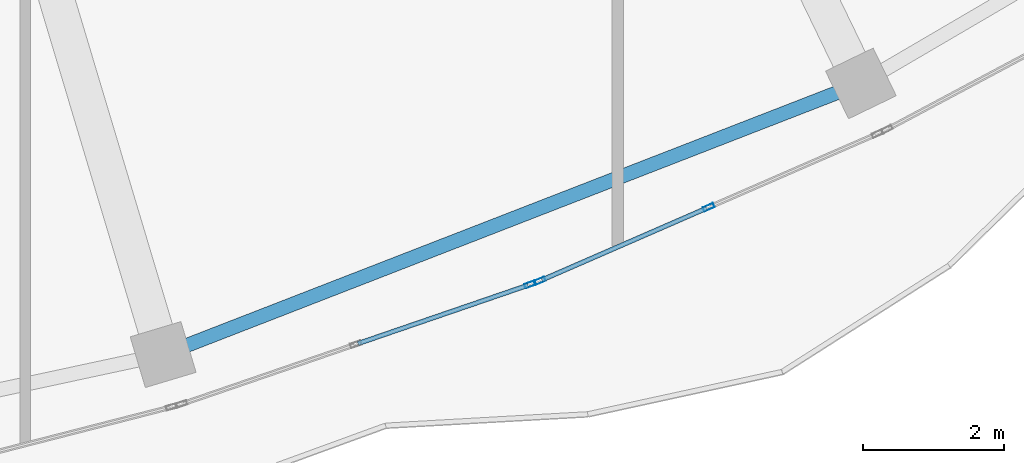
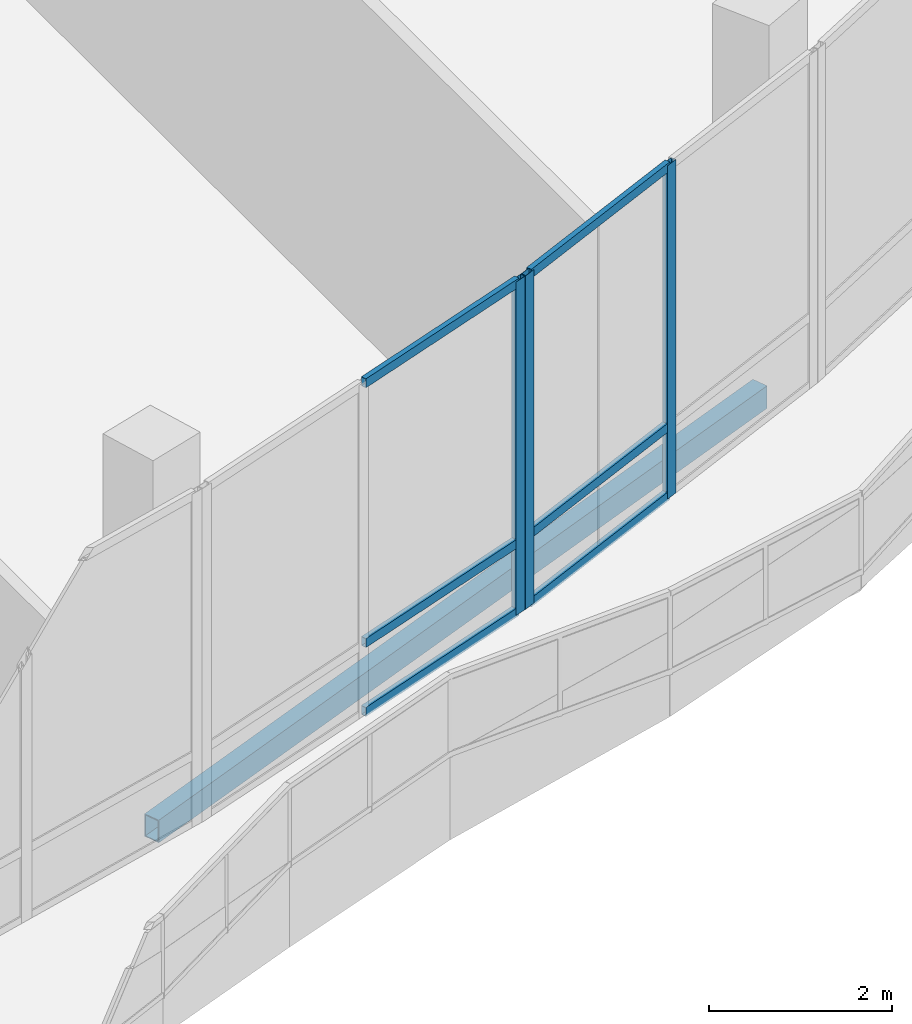
# One storey, part 46 of 168: 9 members, 1 beam, 2 elements without a shape of their own.
"""IFC4 building model written with IfcOpenShell, lengths in metres."""

from ifc_helpers import new_model, si_unit, direction, frame, origin, origin_2d, place, context, subcontext, project, spatial, hollow_rectangle, extrude, material, material_profile, profile_set, type_object, element, aggregate, save


model = new_model("IFC4")

# Units and contexts
model_context = context("Model", 3, precision=1e-05, world=origin(), true_north=direction((0.0, 1.0)))
body_context = subcontext(model_context, "Body", "Model", "MODEL_VIEW")
ifc_project = project(units=[si_unit("LENGTHUNIT", "METRE"), si_unit("AREAUNIT", "SQUARE_METRE"), si_unit("VOLUMEUNIT", "CUBIC_METRE"), si_unit("PLANEANGLEUNIT", "RADIAN"), si_unit("MASSUNIT", "GRAM", prefix="KILO")], contexts=[model_context])

# Site, building, storey
site_placement = place(None, origin())
site = spatial("IfcSite", under=ifc_project, at=site_placement, CompositionType="ELEMENT")
building_placement = place(site_placement, origin())
building = spatial("IfcBuilding", under=site, at=building_placement, Name="Selatvlak General Hospital", CompositionType="ELEMENT")
storey_placement = place(building_placement, frame((0.0, 0.0, 5.39990234375)))
storey = spatial("IfcBuildingStorey", under=building, at=storey_placement, Name="L01", CompositionType="ELEMENT", Elevation=5.39990234375)

# Beam
ifc_material_1 = material(Name="Steel S355", Category="steel")
ifc_material_profile_1 = material_profile(ifc_material_1, hollow_rectangle(XDim=0.199951171875, YDim=0.300048828125, WallThickness=0.011962890625, at=origin_2d()), Name="RHS 300x200x12")
ifc_profile_set_1 = profile_set([ifc_material_profile_1], Name="Steel S355")
beam_type = type_object("IfcBeamType", Name="BM-SP3", PredefinedType="SPANDREL", material=ifc_profile_set_1)
beam_placement = place(storey_placement, frame((75.155029296875, 15.556884765625, -0.469970703125), z_axis=(0.932089721368, 0.362227485596, 0.0), x_axis=(-0.362227485596, 0.932089721368, 0.0)))
element("IfcBeam", 1, at=beam_placement, inside=storey, type_object=beam_type, Name="Beam BMR-L01-0755", PredefinedType="SPANDREL", context=body_context, shape_type="SweptSolid", body=[
    extrude(hollow_rectangle(XDim=0.199951171875, YDim=0.300048828125, WallThickness=0.011962890625, at=origin_2d()), origin(), (0.0, 0.0, 1.0), 10.609375),
])

# Curtain wall, members
ifc_material_2 = material(Name="Solar-control Low-E double glazing", Category="glass")
curtain_wall_type_1 = type_object("IfcCurtainWallType", Name="CW-CW-02", PredefinedType="USERDEFINED", material=ifc_material_2)
curtain_wall_1_placement = place(storey_placement, origin())
curtain_wall_1 = element("IfcCurtainWall", 2, at=curtain_wall_1_placement, inside=storey, type_object=curtain_wall_type_1, Name="Glazed facade curtain wall CW-L01-0170", ObjectType="UNITISED CURTAIN WALL", PredefinedType="USERDEFINED")
ifc_material_3 = material(Name="Dark anodised aluminium mullion", Category="aluminium")
ifc_material_profile_2 = material_profile(ifc_material_3, hollow_rectangle(XDim=0.06494140625, YDim=0.159912109375, WallThickness=0.00390625, at=origin_2d()), Name="AL-MUL 65x160x4")
ifc_profile_set_2 = profile_set([ifc_material_profile_2], Name="Dark anodised aluminium mullion")
member_type_1 = type_object("IfcMemberType", Name="CWM-01", PredefinedType="MULLION", material=ifc_profile_set_2)
member_1_placement = place(storey_placement, frame((82.886962890625, 17.64404296875, 0.0), z_axis=(0.0, 0.0, 1.0), x_axis=(0.399389828763, -0.916781197822, 0.0)))
member_1 = element("IfcMember", 3, at=member_1_placement, type_object=member_type_1, Name="CW-02 mullion 2", PredefinedType="MULLION", context=body_context, shape_type="SweptSolid", body=[
    extrude(hollow_rectangle(XDim=0.06494140625, YDim=0.159912109375, WallThickness=0.00390625, at=origin_2d()), origin(), (0.0, 0.0, 1.0), 4.445068359375),
])
member_2_placement = place(storey_placement, frame((80.49267578125, 16.60107421875, 0.0), z_axis=(0.0, 0.0, 1.0), x_axis=(0.399389828763, -0.916781197822, 0.0)))
member_2 = element("IfcMember", 4, at=member_2_placement, type_object=member_type_1, Name="CW-02 mullion 3", PredefinedType="MULLION", context=body_context, shape_type="SweptSolid", body=[
    extrude(hollow_rectangle(XDim=0.06494140625, YDim=0.159912109375, WallThickness=0.00390625, at=origin_2d()), origin(), (0.0, 0.0, 1.0), 4.445068359375),
])

# Curtain wall, member
curtain_wall_type_2 = type_object("IfcCurtainWallType", Name="CW-CW-01", PredefinedType="USERDEFINED", material=ifc_material_2)
curtain_wall_2_placement = place(storey_placement, origin())
curtain_wall_2 = element("IfcCurtainWall", 5, at=curtain_wall_2_placement, inside=storey, type_object=curtain_wall_type_2, Name="Glazed facade curtain wall CW-L01-0171", ObjectType="UNITISED CURTAIN WALL", PredefinedType="USERDEFINED")
member_3_placement = place(storey_placement, frame((80.357177734375, 16.550537109375, 0.0), z_axis=(0.0, 0.0, 1.0), x_axis=(0.324609481996, -0.945848129563, 0.0)))
member_3 = element("IfcMember", 6, at=member_3_placement, type_object=member_type_1, Name="CW-01 mullion 1", PredefinedType="MULLION", context=body_context, shape_type="SweptSolid", body=[
    extrude(hollow_rectangle(XDim=0.06494140625, YDim=0.159912109375, WallThickness=0.00390625, at=origin_2d()), origin(), (0.0, 0.0, 1.0), 4.445068359375),
])

# Member
ifc_material_profile_3 = material_profile(ifc_material_3, hollow_rectangle(XDim=0.06494140625, YDim=0.1201171875, WallThickness=0.00390625, at=origin_2d()), Name="AL-TRN 65x120x4")
ifc_profile_set_3 = profile_set([ifc_material_profile_3], Name="Dark anodised aluminium mullion")
member_type_2 = type_object("IfcMemberType", Name="CWT-01", PredefinedType="USERDEFINED", material=ifc_profile_set_3)
member_4_placement = place(storey_placement, frame((82.857177734375, 17.631103515625, 0.03271484375), z_axis=(-0.916767989368, -0.399420146801, 0.0), x_axis=(0.399420146801, -0.916767989368, 0.0)))
member_4 = element("IfcMember", 7, at=member_4_placement, type_object=member_type_2, Name="CW-02 transom 2.1", ObjectType="TRANSOM", PredefinedType="USERDEFINED", context=body_context, shape_type="SweptSolid", body=[
    extrude(hollow_rectangle(XDim=0.06494140625, YDim=0.1201171875, WallThickness=0.00390625, at=origin_2d()), origin(), (0.0, 0.0, 1.0), 2.54638671875),
])

member_5_placement = place(storey_placement, frame((82.857177734375, 17.631103515625, 0.9501953125), z_axis=(-0.916767989368, -0.399420146801, 0.0), x_axis=(0.399420146801, -0.916767989368, 0.0)))
member_5 = element("IfcMember", 8, at=member_5_placement, type_object=member_type_2, Name="CW-02 transom 2.2", ObjectType="TRANSOM", PredefinedType="USERDEFINED", context=body_context, shape_type="SweptSolid", body=[
    extrude(hollow_rectangle(XDim=0.06494140625, YDim=0.1201171875, WallThickness=0.00390625, at=origin_2d()), origin(), (0.0, 0.0, 1.0), 2.54638671875),
])

member_6_placement = place(storey_placement, frame((82.857177734375, 17.631103515625, 4.41259765625), z_axis=(-0.916767989368, -0.399420146801, 0.0), x_axis=(0.399420146801, -0.916767989368, 0.0)))
member_6 = element("IfcMember", 9, at=member_6_placement, type_object=member_type_2, Name="CW-02 transom 2.3", ObjectType="TRANSOM", PredefinedType="USERDEFINED", context=body_context, shape_type="SweptSolid", body=[
    extrude(hollow_rectangle(XDim=0.06494140625, YDim=0.1201171875, WallThickness=0.00390625, at=origin_2d()), origin(), (0.0, 0.0, 1.0), 2.54638671875),
])

aggregate(curtain_wall_1, [member_1, member_2, member_4, member_5, member_6])

member_7_placement = place(storey_placement, frame((80.326416015625, 16.539794921875, 0.03271484375), z_axis=(-0.945866939821, -0.324554667434, 0.0), x_axis=(0.324554667434, -0.945866939821, 0.0)))
member_7 = element("IfcMember", 10, at=member_7_placement, type_object=member_type_2, Name="CW-01 transom 1.1", ObjectType="TRANSOM", PredefinedType="USERDEFINED", context=body_context, shape_type="SweptSolid", body=[
    extrude(hollow_rectangle(XDim=0.06494140625, YDim=0.1201171875, WallThickness=0.00390625, at=origin_2d()), origin(), (0.0, 0.0, 1.0), 2.547119140625),
])

member_8_placement = place(storey_placement, frame((80.326416015625, 16.539794921875, 0.9501953125), z_axis=(-0.945866939821, -0.324554667434, 0.0), x_axis=(0.324554667434, -0.945866939821, 0.0)))
member_8 = element("IfcMember", 11, at=member_8_placement, type_object=member_type_2, Name="CW-01 transom 1.2", ObjectType="TRANSOM", PredefinedType="USERDEFINED", context=body_context, shape_type="SweptSolid", body=[
    extrude(hollow_rectangle(XDim=0.06494140625, YDim=0.1201171875, WallThickness=0.00390625, at=origin_2d()), origin(), (0.0, 0.0, 1.0), 2.547119140625),
])

member_9_placement = place(storey_placement, frame((80.326416015625, 16.539794921875, 4.41259765625), z_axis=(-0.945866939821, -0.324554667434, 0.0), x_axis=(0.324554667434, -0.945866939821, 0.0)))
member_9 = element("IfcMember", 12, at=member_9_placement, type_object=member_type_2, Name="CW-01 transom 1.3", ObjectType="TRANSOM", PredefinedType="USERDEFINED", context=body_context, shape_type="SweptSolid", body=[
    extrude(hollow_rectangle(XDim=0.06494140625, YDim=0.1201171875, WallThickness=0.00390625, at=origin_2d()), origin(), (0.0, 0.0, 1.0), 2.547119140625),
])

aggregate(curtain_wall_2, [member_3, member_7, member_8, member_9])

save(model, "model.ifc")
